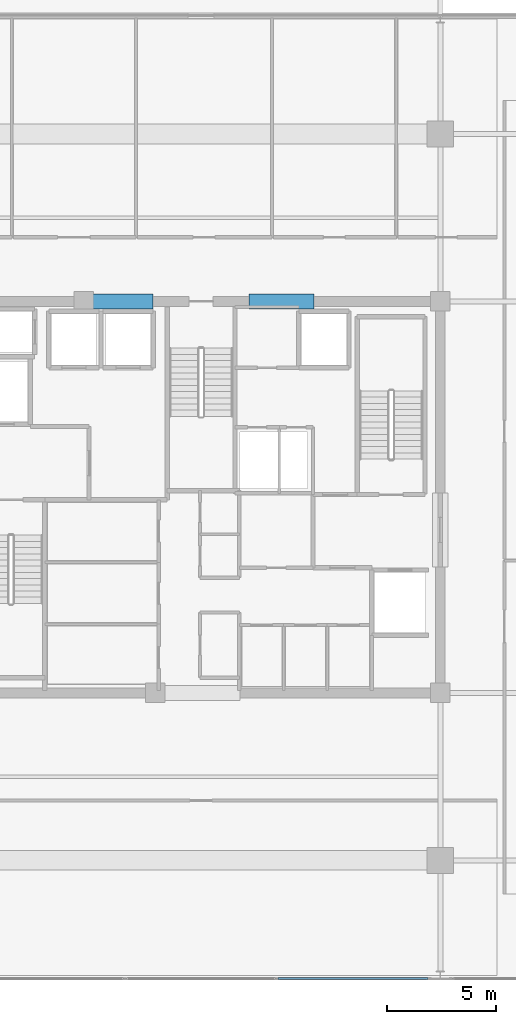
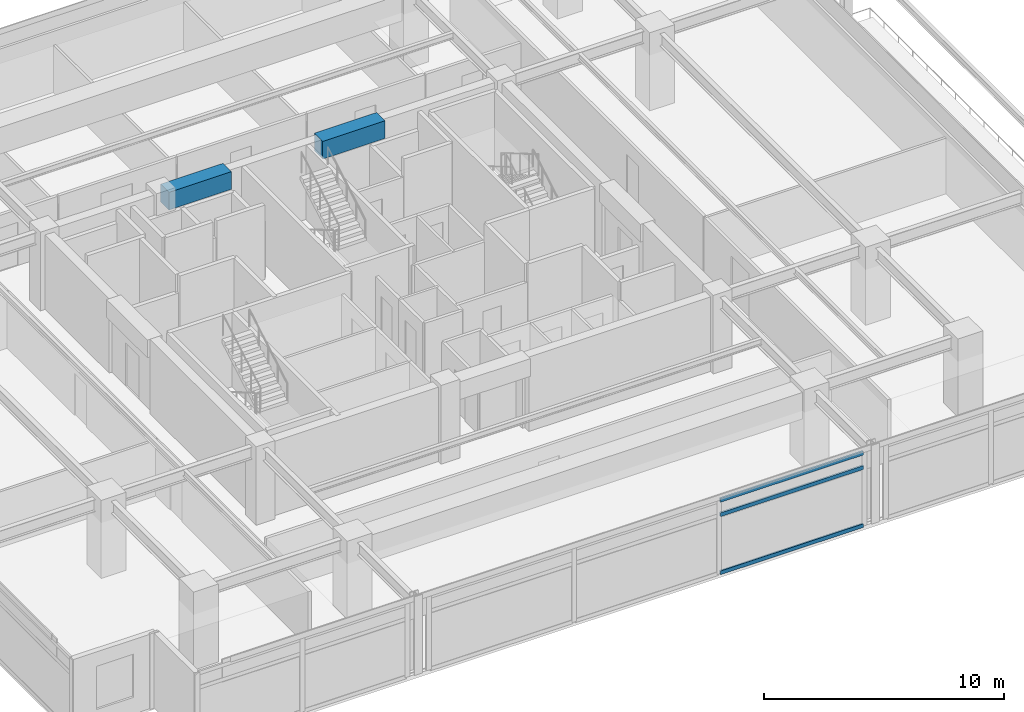
# One storey, part 7 of 21: 3 members, 2 beams, 1 element without a shape of its own.
"""IFC4 building model written with IfcOpenShell, lengths in metres."""

from ifc_helpers import new_model, si_unit, direction, frame, origin, origin_2d, place, context, subcontext, project, spatial, rectangle, hollow_rectangle, extrude, material, material_profile, profile_set, type_object, element, aggregate, save


model = new_model("IFC4")

# Units and contexts
model_context = context("Model", 3, precision=1e-05, world=origin(), true_north=direction((0.0, 1.0)))
body_context = subcontext(model_context, "Body", "Model", "MODEL_VIEW")
ifc_project = project(units=[si_unit("LENGTHUNIT", "METRE"), si_unit("AREAUNIT", "SQUARE_METRE"), si_unit("VOLUMEUNIT", "CUBIC_METRE"), si_unit("PLANEANGLEUNIT", "RADIAN"), si_unit("MASSUNIT", "GRAM", prefix="KILO")], contexts=[model_context])

# Site, building, storey
site_placement = place(None, origin())
site = spatial("IfcSite", under=ifc_project, at=site_placement, CompositionType="ELEMENT")
building_placement = place(site_placement, origin())
building = spatial("IfcBuilding", under=site, at=building_placement, Name="Kovane Verandah Tower", CompositionType="ELEMENT")
storey_placement = place(building_placement, frame((0.0, 0.0, 283.199951171875)))
storey = spatial("IfcBuildingStorey", under=building, at=storey_placement, Name="L66", CompositionType="ELEMENT", Elevation=283.199951171875)

# Beams
ifc_material_1 = material(Name="Concrete C60/75", Category="concrete")
ifc_material_profile_1 = material_profile(ifc_material_1, rectangle(XDim=0.699951171875, YDim=0.89990234375, at=origin_2d()), Name="RCB700x900")
ifc_profile_set_1 = profile_set([ifc_material_profile_1], Name="Concrete C60/75")
beam_type = type_object("IfcBeamType", Name="BM-LINTEL-700x900", PredefinedType="LINTEL", material=ifc_profile_set_1)
for number, where, z_axis, x_axis, name in (
    (1, (34.800048828125, 36.5, 3.3349609375), (1.0, 0.0, 0.0), (0.0, 1.0, 0.0), "L66 Core Coupling Lintel CL-N1"),
    (2, (42.199951171875, 36.5, 3.3349609375), (1.0, 0.0, 0.0), (0.0, 1.0, 0.0), "L66 Core Coupling Lintel CL-N2"),
):
    element("IfcBeam", number, at=place(storey_placement, frame(where, z_axis=z_axis, x_axis=x_axis)), inside=storey, type_object=beam_type, Name=name, PredefinedType="LINTEL", context=body_context, shape_type="SweptSolid", body=[
        extrude(rectangle(XDim=0.699951171875, YDim=0.89990234375, at=origin_2d()), origin(), (0.0, 0.0, 1.0), 3.0),
    ])

# Curtain wall, members
ifc_material_2 = material(Name="Champagne Anodised Aluminium Frame with Low-E Clear Laminated Glass", Category="aluminium")
curtain_wall_type = type_object("IfcCurtainWallType", Name="CW-SYS-05-HIGH", PredefinedType="NOTDEFINED", material=ifc_material_2)
curtain_wall_placement = place(storey_placement, origin())
curtain_wall = element("IfcCurtainWall", 3, at=curtain_wall_placement, inside=storey, type_object=curtain_wall_type, Name="L66 S Unitised Curtain Wall-2", PredefinedType="NOTDEFINED")
ifc_material_3 = material(Name="Champagne Anodised Aluminium 6063-T6", Category="aluminium")
ifc_material_profile_2 = material_profile(ifc_material_3, hollow_rectangle(XDim=0.0849609375, YDim=0.18994140625, WallThickness=0.00390625, at=origin_2d()), Name="AL85x190x4")
ifc_profile_set_2 = profile_set([ifc_material_profile_2], Name="Champagne Anodised Aluminium 6063-T6")
member_type = type_object("IfcMemberType", Name="CW-TRN-85x190", PredefinedType="USERDEFINED", material=ifc_profile_set_2)
member_1_placement = place(storey_placement, frame((43.543212890625, 5.359619140625, 0.050048828125), z_axis=(1.0, 0.0, 0.0), x_axis=(0.0, 1.0, 0.0)))
member_1 = element("IfcMember", 4, at=member_1_placement, type_object=member_type, Name="L66 S Unitised Curtain Wall-2 Transom TB Bay 3", ObjectType="TRANSOM", PredefinedType="USERDEFINED", context=body_context, shape_type="SweptSolid", body=[
    extrude(hollow_rectangle(XDim=0.0849609375, YDim=0.18994140625, WallThickness=0.00390625, at=origin_2d()), origin(), (0.0, 0.0, 1.0), 6.88671875),
])
member_2_placement = place(storey_placement, frame((43.543212890625, 5.359619140625, 3.005126953125), z_axis=(1.0, 0.0, 0.0), x_axis=(0.0, 1.0, 0.0)))
member_2 = element("IfcMember", 5, at=member_2_placement, type_object=member_type, Name="L66 S Unitised Curtain Wall-2 Transom TM Bay 3", ObjectType="TRANSOM", PredefinedType="USERDEFINED", context=body_context, shape_type="SweptSolid", body=[
    extrude(hollow_rectangle(XDim=0.0849609375, YDim=0.18994140625, WallThickness=0.00390625, at=origin_2d()), origin(), (0.0, 0.0, 1.0), 6.88671875),
])
member_3_placement = place(storey_placement, frame((43.543212890625, 5.359619140625, 3.735107421875), z_axis=(1.0, 0.0, 0.0), x_axis=(0.0, 1.0, 0.0)))
member_3 = element("IfcMember", 6, at=member_3_placement, type_object=member_type, Name="L66 S Unitised Curtain Wall-2 Transom TT Bay 3", ObjectType="TRANSOM", PredefinedType="USERDEFINED", context=body_context, shape_type="SweptSolid", body=[
    extrude(hollow_rectangle(XDim=0.0849609375, YDim=0.18994140625, WallThickness=0.00390625, at=origin_2d()), origin(), (0.0, 0.0, 1.0), 6.88671875),
])
aggregate(curtain_wall, [member_1, member_2, member_3])

save(model, "model.ifc")
